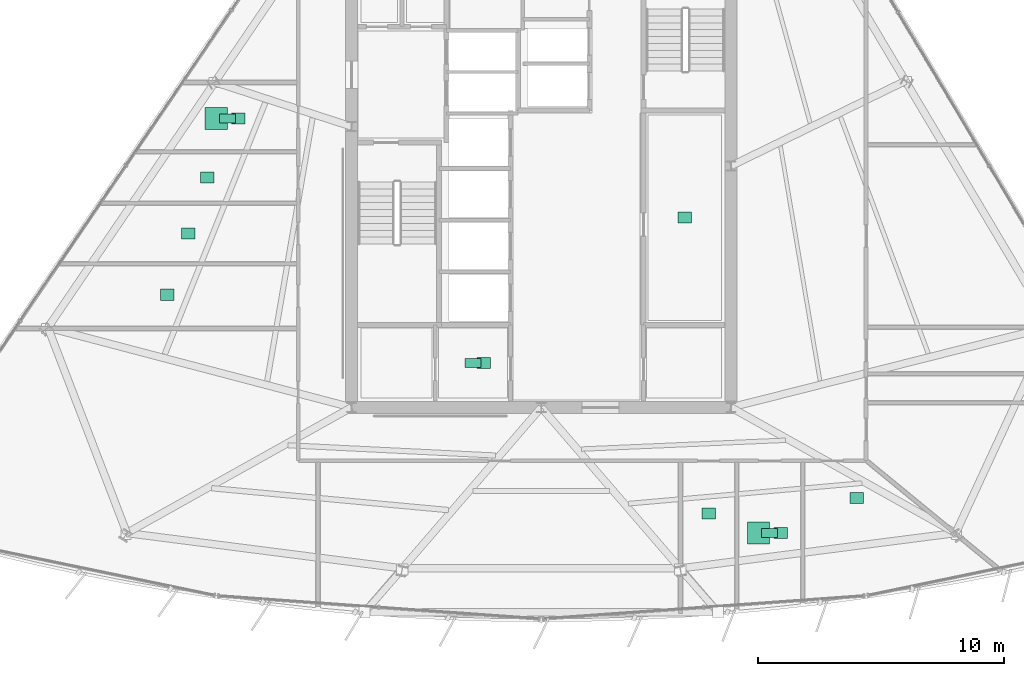
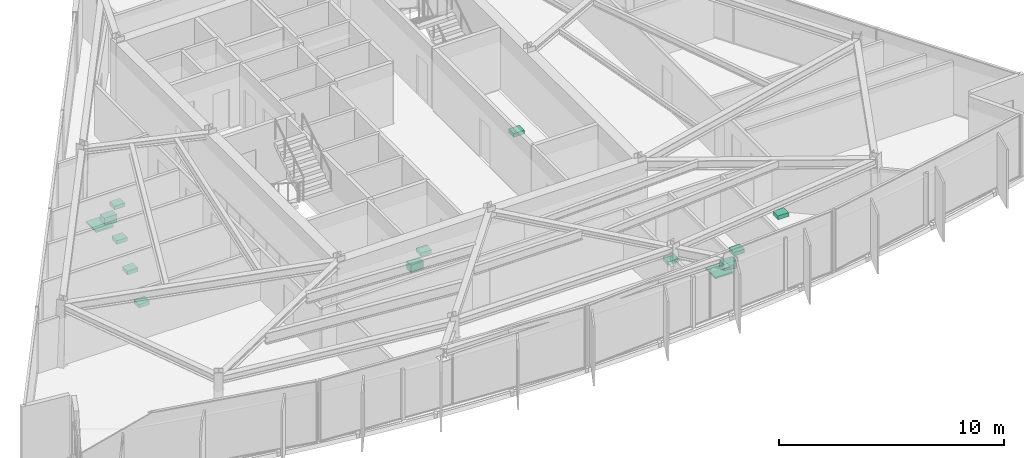
# One storey, part 15 of 15: 14 sanitary terminals.
"""IFC4 building model written with IfcOpenShell, lengths in metres."""

import ifcopenshell
import ifcopenshell.guid

model = None  # the IFC model being written
_history = None  # IfcOwnerHistory: only IFC2X3 demands one
_inside = {}  # id of a spatial element -> (the spatial element, [elements in it])
_under = {}  # id of a project, library or spatial element -> (it, [spatial elements below it])
_declared = {}  # id of a project -> (the project, [libraries it declares])
_typed = {}  # id of a type object -> (the type object, [elements of that type])
_made_of = {}  # id of a material, layer set ... -> (it, [elements and type objects made of it])


def new_model(schema):
    """Start an empty IFC model of exactly this schema.

    Asked for "IFC4X3", IfcOpenShell would pick the latest addendum, in which some entities
    have other attributes; the version numbers below select the first issue.
    IFC2X3 requires an IfcOwnerHistory on every rooted entity: one is made here for all.
    """
    global model, _history
    if schema == "IFC4X3":
        model = ifcopenshell.file(schema_version=(4, 3, 0, 0))
    else:
        model = ifcopenshell.file(schema=schema)
    _inside.clear()
    _under.clear()
    _declared.clear()
    _typed.clear()
    _made_of.clear()
    _history = None
    if model.schema == "IFC2X3":
        org = make("IfcOrganization", Name="unknown")
        user = make(
            "IfcPersonAndOrganization",
            ThePerson=make("IfcPerson", FamilyName="unknown"),
            TheOrganization=org,
        )
        app = make(
            "IfcApplication",
            ApplicationDeveloper=org,
            Version="unknown",
            ApplicationFullName="unknown",
            ApplicationIdentifier="unknown",
        )
        _history = make(
            "IfcOwnerHistory",
            OwningUser=user,
            OwningApplication=app,
            ChangeAction="ADDED",
            CreationDate=0,
        )
    return model


def make(cls, **values):
    """One entity of the class cls with the attributes given. An attribute that is None is left unset."""
    return model.create_entity(
        cls, **{name: value for name, value in values.items() if value is not None}
    )


def rooted(cls, **values):
    """An entity with a GlobalId (a new one), such as an element, a storey or a relation."""
    return make(cls, GlobalId=ifcopenshell.guid.new(), OwnerHistory=_history, **values)


def si_unit(unit_type, name, prefix=None):
    """IfcSIUnit, for example si_unit("LENGTHUNIT", "METRE", prefix="MILLI")."""
    return make("IfcSIUnit", UnitType=unit_type, Prefix=prefix, Name=name)


def assignment(units):
    """IfcUnitAssignment: the units of a project."""
    return None if units is None else make("IfcUnitAssignment", Units=units)


def point(xyz):
    """IfcCartesianPoint."""
    return None if xyz is None else make("IfcCartesianPoint", Coordinates=xyz)


def direction(xyz):
    """IfcDirection."""
    return None if xyz is None else make("IfcDirection", DirectionRatios=xyz)


def frame(location, z_axis=None, x_axis=None):
    """IfcAxis2Placement3D, a coordinate frame: its origin and axes. An axis left out is left unset."""
    return make(
        "IfcAxis2Placement3D",
        Location=point(location),
        Axis=direction(z_axis),
        RefDirection=direction(x_axis),
    )


def frame_2d(location, x_axis=None):
    """IfcAxis2Placement2D, a coordinate frame in the plane: its origin and x axis."""
    return make(
        "IfcAxis2Placement2D", Location=point(location), RefDirection=direction(x_axis)
    )


def origin():
    """The frame at (0, 0, 0) with its axes left unset."""
    return frame((0.0, 0.0, 0.0))


def origin_2d():
    """The frame at (0, 0) in the plane with its x axis left unset."""
    return frame_2d((0.0, 0.0))


def place(relative_to, where):
    """IfcLocalPlacement: puts the frame where relative to a parent placement (None: the world)."""
    return make(
        "IfcLocalPlacement", PlacementRelTo=relative_to, RelativePlacement=where
    )


def context(
    kind, dimensions, precision=None, world=None, true_north=None, identifier=None
):
    """IfcGeometricRepresentationContext, for example the 3D "Model" context."""
    return make(
        "IfcGeometricRepresentationContext",
        ContextIdentifier=identifier,
        ContextType=kind,
        CoordinateSpaceDimension=dimensions,
        Precision=precision,
        WorldCoordinateSystem=world,
        TrueNorth=true_north,
    )


def subcontext(parent, identifier, kind, view, scale=None):
    """IfcGeometricRepresentationSubContext, for example "Body" below "Model"."""
    return make(
        "IfcGeometricRepresentationSubContext",
        ContextIdentifier=identifier,
        ContextType=kind,
        ParentContext=parent,
        TargetScale=scale,
        TargetView=view,
    )


def project(units=None, contexts=None):
    """IfcProject with its units and contexts."""
    return rooted(
        "IfcProject",
        Name="project",
        RepresentationContexts=contexts,
        UnitsInContext=assignment(units),
    )


def spatial(cls, under=None, at=None, **own):
    """A site, building, storey or space (cls), placed at a placement, below another one or the project."""
    s = rooted(cls, ObjectPlacement=at, **own)
    if under is not None:
        _under.setdefault(under.id(), (under, []))[1].append(s)
    return s


def profile(cls, at=None, kind="AREA", **sizes):
    """A parametric profile (cls). Its sizes go by their IFC names, for example OverallWidth=200.0."""
    return make(cls, ProfileType=kind, Position=at, **sizes)


def rectangle(**sizes):
    """IfcRectangleProfileDef."""
    return profile("IfcRectangleProfileDef", **sizes)


def extrude(swept, where, along, depth):
    """IfcExtrudedAreaSolid: the profile swept, set in the frame where, extruded along a direction by depth."""
    return make(
        "IfcExtrudedAreaSolid",
        SweptArea=swept,
        Position=where,
        ExtrudedDirection=direction(along),
        Depth=depth,
    )


def shape(context_of_items, identifier, shape_type, items):
    """IfcShapeRepresentation: the items that make up one representation, for example the "Body"."""
    return make(
        "IfcShapeRepresentation",
        ContextOfItems=context_of_items,
        RepresentationIdentifier=identifier,
        RepresentationType=shape_type,
        Items=items,
    )


def material(Name=None, Category=None):
    """IfcMaterial."""
    return make("IfcMaterial", Name=Name, Category=Category)


def made_of(thing, what):
    """Note that an element or type object is made of a material, layer set ...; save() writes the relation."""
    if what is not None:
        _made_of.setdefault(what.id(), (what, []))[1].append(thing)
    return thing


def type_object(cls, material=None, **own):
    """A type object (cls), such as IfcWallType, which elements share."""
    return made_of(rooted(cls, **own), material)


def element(
    cls,
    number,
    at=None,
    inside=None,
    cuts=None,
    type_object=None,
    material=None,
    context=None,
    identifier="Body",
    shape_type=None,
    held_by="IfcProductDefinitionShape",
    body=None,
    shapes=None,
    **own,
):
    """One element of the class cls, such as IfcWall. Its Tag is "e" and its number.

    at: its placement. inside: the storey or other place that contains it. cuts: it is an
    opening in that element (IfcRelVoidsElement). A single representation is given by context,
    identifier, shape_type and body (its items); several are given by shapes. held_by: the class
    of the entity that holds the representations. save() writes the other relations.
    """
    e = rooted(cls, Tag="e%d" % number, ObjectPlacement=at, **own)
    if body is not None:
        shapes = [shape(context, identifier, shape_type, body)]
    if shapes is not None:
        e.Representation = make(held_by, Representations=shapes)
    if inside is not None:
        _inside.setdefault(inside.id(), (inside, []))[1].append(e)
    if cuts is not None:
        rooted(
            "IfcRelVoidsElement", RelatingBuildingElement=cuts, RelatedOpeningElement=e
        )
    if type_object is not None:
        _typed.setdefault(type_object.id(), (type_object, []))[1].append(e)
    return made_of(e, material)


def aggregate(whole, parts):
    """IfcRelAggregates: a whole, such as a stair, and the parts it consists of."""
    return rooted("IfcRelAggregates", RelatingObject=whole, RelatedObjects=parts)


def save(model, path):
    """Write the relations noted so far, then the file.

    IfcRelAggregates (storeys below a building ...), IfcRelContainedInSpatialStructure (elements
    in a storey), IfcRelDefinesByType, IfcRelAssociatesMaterial and IfcRelDeclares: one each for
    every whole, place, type object, material and project.
    """
    for whole, parts in _under.values():
        aggregate(whole, parts)
    for where, things in _inside.values():
        rooted(
            "IfcRelContainedInSpatialStructure",
            RelatedElements=things,
            RelatingStructure=where,
        )
    for kind, things in _typed.values():
        rooted("IfcRelDefinesByType", RelatedObjects=things, RelatingType=kind)
    for what, things in _made_of.values():
        rooted("IfcRelAssociatesMaterial", RelatedObjects=things, RelatingMaterial=what)
    for by, libraries in _declared.values():
        rooted("IfcRelDeclares", RelatingContext=by, RelatedDefinitions=libraries)
    model.write(path)


model = new_model("IFC4")

# Units and contexts
model_context = context("Model", 3, precision=1e-05, world=origin(), true_north=direction((0.0, 1.0)))
body_context = subcontext(model_context, "Body", "Model", "MODEL_VIEW")
ifc_project = project(units=[si_unit("LENGTHUNIT", "METRE"), si_unit("AREAUNIT", "SQUARE_METRE"), si_unit("VOLUMEUNIT", "CUBIC_METRE"), si_unit("PLANEANGLEUNIT", "RADIAN"), si_unit("MASSUNIT", "GRAM", prefix="KILO")], contexts=[model_context])

# Site, building, storey
site_placement = place(None, origin())
site = spatial("IfcSite", under=ifc_project, at=site_placement, CompositionType="ELEMENT")
building_placement = place(site_placement, origin())
building = spatial("IfcBuilding", under=site, at=building_placement, Name="Savorim Split Tower", CompositionType="ELEMENT")
storey_placement = place(building_placement, frame((0.0, 0.0, 201.89990234375)))
storey = spatial("IfcBuildingStorey", under=building, at=storey_placement, Name="L53", CompositionType="ELEMENT", Elevation=201.89990234375)

# Sanitary terminals
ifc_material = material(Name="Vitreous China Sanitaryware")
sanitary_terminal_type_1 = type_object("IfcSanitaryTerminalType", Name="SAN-SHW-900", PredefinedType="SHOWER", material=ifc_material)
for number, where, z_axis, x_axis, name in (
    (1, (8.821533203125, -14.49853515625, 0.0), (0.0, 0.0, 1.0), (1.0, 0.0, 0.0), "L53 Shared Bathroom Shower"),
    (2, (-13.190673828125, 2.328125, 0.0), (0.0, 0.0, 1.0), (1.0, 0.0, 0.0), "L53 Shared Bathroom Shower"),
):
    element("IfcSanitaryTerminal", number, at=place(storey_placement, frame(where, z_axis=z_axis, x_axis=x_axis)), inside=storey, type_object=sanitary_terminal_type_1, Name=name, PredefinedType="SHOWER", context=body_context, shape_type="SweptSolid", body=[
        extrude(rectangle(XDim=0.89990234375, YDim=0.89990234375, at=origin_2d()), origin(), (0.0, 0.0, 1.0), 0.080078125),
    ])
sanitary_terminal_type_2 = type_object("IfcSanitaryTerminalType", Name="SAN-WC-PAN", PredefinedType="TOILETPAN", material=ifc_material)
for number, where, z_axis, x_axis, name in (
    (3, (-2.77490234375, -7.60009765625, 0.000244140625), (0.0, 0.0, 1.0), (1.0, 0.0, 0.0), "L53 Accessible WC WC Pan"),
    (4, (9.271484375, -14.49853515625, 0.000244140625), (0.0, 0.0, 1.0), (1.0, 0.0, 0.0), "L53 Shared Bathroom WC Pan"),
    (5, (-12.740478515625, 2.328125, 0.000244140625), (0.0, 0.0, 1.0), (1.0, 0.0, 0.0), "L53 Shared Bathroom WC Pan"),
):
    element("IfcSanitaryTerminal", number, at=place(storey_placement, frame(where, z_axis=z_axis, x_axis=x_axis)), inside=storey, type_object=sanitary_terminal_type_2, Name=name, PredefinedType="TOILETPAN", context=body_context, shape_type="SweptSolid", body=[
        extrude(rectangle(XDim=0.64990234375, YDim=0.3798828125, at=origin_2d()), origin(), (0.0, 0.0, 1.0), 0.419921875),
    ])
sanitary_terminal_type_3 = type_object("IfcSanitaryTerminalType", Name="SAN-WHB-550", PredefinedType="WASHHANDBASIN", material=ifc_material)
for number, where, z_axis, x_axis, name in (
    (6, (5.824951171875, -1.699951171875, 0.75), (0.0, 0.0, 1.0), (1.0, 0.0, 0.0), "L53 Community Laundry Room Utility Sink"),
    (7, (-2.324951171875, -7.60009765625, 0.72021484375), (0.0, 0.0, 1.0), (1.0, 0.0, 0.0), "L53 Accessible WC Washhand Basin"),
    (8, (-13.555908203125, -0.069091796875, 0.75), (0.0, 0.0, 1.0), (1.0, 0.0, 0.0), "L53 Shared Kitchen Utility Sink"),
    (9, (-14.329833984375, -2.343994140625, 0.75), (0.0, 0.0, 1.0), (1.0, 0.0, 0.0), "L53 Community Laundry Room Utility Sink"),
    (10, (-15.175048828125, -4.8291015625, 0.75), (0.0, 0.0, 1.0), (1.0, 0.0, 0.0), "L53 Shared Kitchen Utility Sink"),
    (11, (6.7919921875, -13.70751953125, 0.75), (0.0, 0.0, 1.0), (1.0, 0.0, 0.0), "L53 Shared Kitchen Utility Sink"),
    (12, (9.721435546875, -14.49853515625, 0.72021484375), (0.0, 0.0, 1.0), (1.0, 0.0, 0.0), "L53 Shared Bathroom Washhand Basin"),
    (13, (12.80078125, -13.07666015625, 0.75), (0.0, 0.0, 1.0), (1.0, 0.0, 0.0), "L53 Shared Kitchen Utility Sink"),
    (14, (-12.29052734375, 2.328125, 0.72021484375), (0.0, 0.0, 1.0), (1.0, 0.0, 0.0), "L53 Shared Bathroom Washhand Basin"),
):
    element("IfcSanitaryTerminal", number, at=place(storey_placement, frame(where, z_axis=z_axis, x_axis=x_axis)), inside=storey, type_object=sanitary_terminal_type_3, Name=name, PredefinedType="WASHHANDBASIN", context=body_context, shape_type="SweptSolid", body=[
        extrude(rectangle(XDim=0.550048828125, YDim=0.449951171875, at=origin_2d()), origin(), (0.0, 0.0, 1.0), 0.199951171875),
    ])

save(model, "model.ifc")
